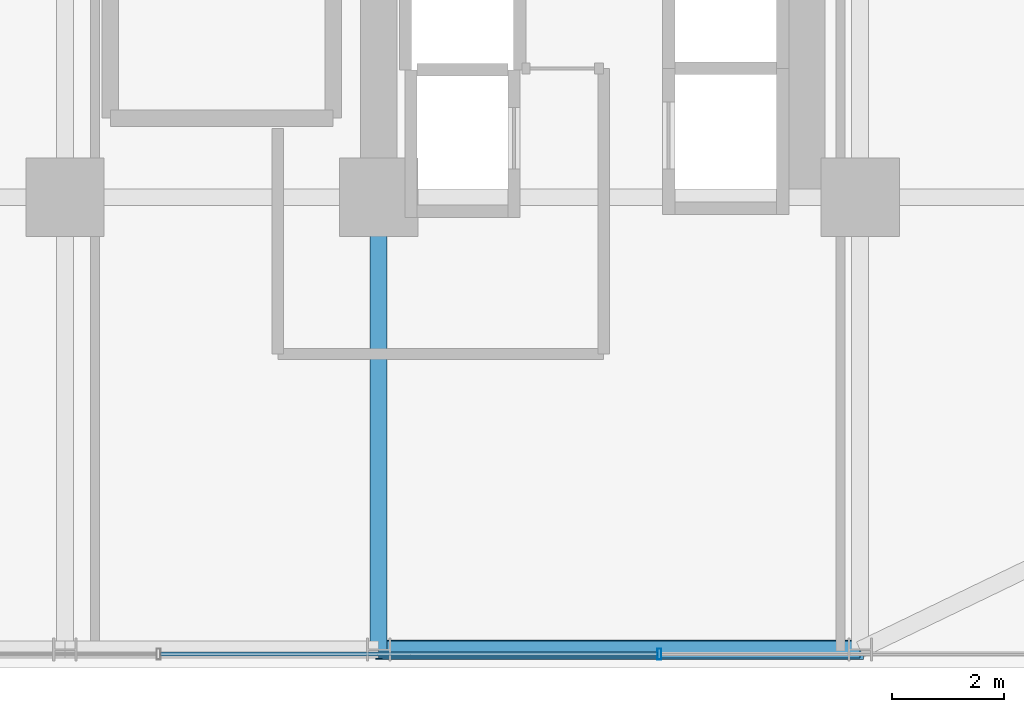
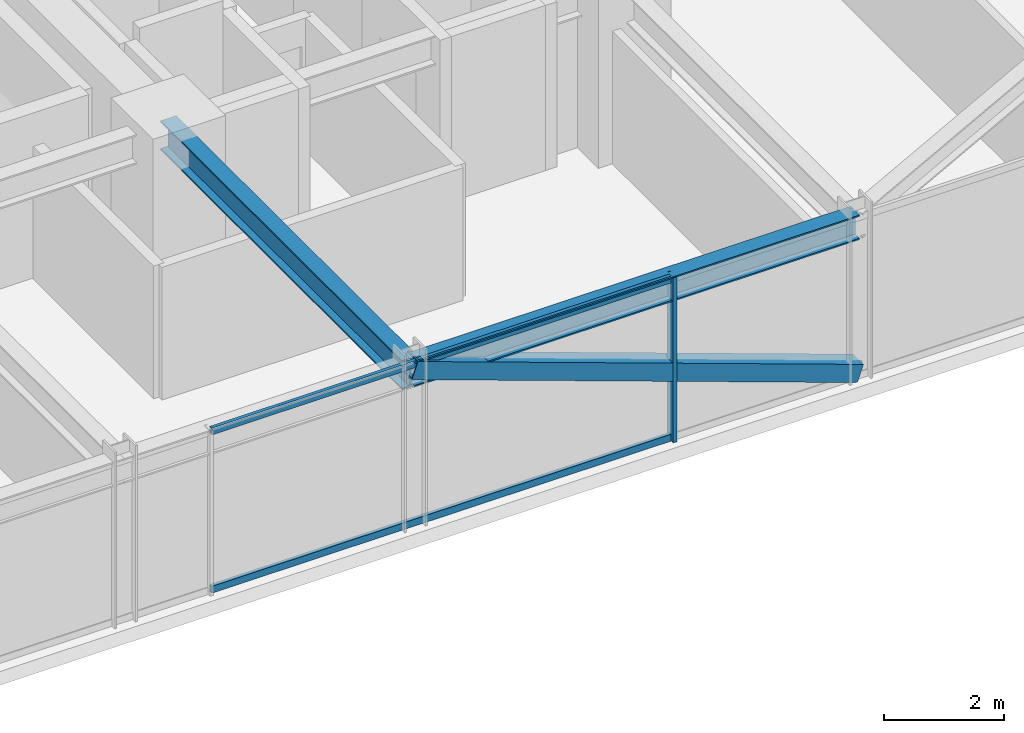
# One storey, part 15 of 47: 4 members, 2 beams, 1 element without a shape of its own.
"""IFC4 building model written with IfcOpenShell, lengths in metres."""

import ifcopenshell
import ifcopenshell.guid

model = None  # the IFC model being written
_history = None  # IfcOwnerHistory: only IFC2X3 demands one
_inside = {}  # id of a spatial element -> (the spatial element, [elements in it])
_under = {}  # id of a project, library or spatial element -> (it, [spatial elements below it])
_declared = {}  # id of a project -> (the project, [libraries it declares])
_typed = {}  # id of a type object -> (the type object, [elements of that type])
_made_of = {}  # id of a material, layer set ... -> (it, [elements and type objects made of it])


def new_model(schema):
    """Start an empty IFC model of exactly this schema.

    Asked for "IFC4X3", IfcOpenShell would pick the latest addendum, in which some entities
    have other attributes; the version numbers below select the first issue.
    IFC2X3 requires an IfcOwnerHistory on every rooted entity: one is made here for all.
    """
    global model, _history
    if schema == "IFC4X3":
        model = ifcopenshell.file(schema_version=(4, 3, 0, 0))
    else:
        model = ifcopenshell.file(schema=schema)
    _inside.clear()
    _under.clear()
    _declared.clear()
    _typed.clear()
    _made_of.clear()
    _history = None
    if model.schema == "IFC2X3":
        org = make("IfcOrganization", Name="unknown")
        user = make(
            "IfcPersonAndOrganization",
            ThePerson=make("IfcPerson", FamilyName="unknown"),
            TheOrganization=org,
        )
        app = make(
            "IfcApplication",
            ApplicationDeveloper=org,
            Version="unknown",
            ApplicationFullName="unknown",
            ApplicationIdentifier="unknown",
        )
        _history = make(
            "IfcOwnerHistory",
            OwningUser=user,
            OwningApplication=app,
            ChangeAction="ADDED",
            CreationDate=0,
        )
    return model


def make(cls, **values):
    """One entity of the class cls with the attributes given. An attribute that is None is left unset."""
    return model.create_entity(
        cls, **{name: value for name, value in values.items() if value is not None}
    )


def rooted(cls, **values):
    """An entity with a GlobalId (a new one), such as an element, a storey or a relation."""
    return make(cls, GlobalId=ifcopenshell.guid.new(), OwnerHistory=_history, **values)


def si_unit(unit_type, name, prefix=None):
    """IfcSIUnit, for example si_unit("LENGTHUNIT", "METRE", prefix="MILLI")."""
    return make("IfcSIUnit", UnitType=unit_type, Prefix=prefix, Name=name)


def assignment(units):
    """IfcUnitAssignment: the units of a project."""
    return None if units is None else make("IfcUnitAssignment", Units=units)


def point(xyz):
    """IfcCartesianPoint."""
    return None if xyz is None else make("IfcCartesianPoint", Coordinates=xyz)


def direction(xyz):
    """IfcDirection."""
    return None if xyz is None else make("IfcDirection", DirectionRatios=xyz)


def frame(location, z_axis=None, x_axis=None):
    """IfcAxis2Placement3D, a coordinate frame: its origin and axes. An axis left out is left unset."""
    return make(
        "IfcAxis2Placement3D",
        Location=point(location),
        Axis=direction(z_axis),
        RefDirection=direction(x_axis),
    )


def frame_2d(location, x_axis=None):
    """IfcAxis2Placement2D, a coordinate frame in the plane: its origin and x axis."""
    return make(
        "IfcAxis2Placement2D", Location=point(location), RefDirection=direction(x_axis)
    )


def origin():
    """The frame at (0, 0, 0) with its axes left unset."""
    return frame((0.0, 0.0, 0.0))


def origin_2d():
    """The frame at (0, 0) in the plane with its x axis left unset."""
    return frame_2d((0.0, 0.0))


def place(relative_to, where):
    """IfcLocalPlacement: puts the frame where relative to a parent placement (None: the world)."""
    return make(
        "IfcLocalPlacement", PlacementRelTo=relative_to, RelativePlacement=where
    )


def context(
    kind, dimensions, precision=None, world=None, true_north=None, identifier=None
):
    """IfcGeometricRepresentationContext, for example the 3D "Model" context."""
    return make(
        "IfcGeometricRepresentationContext",
        ContextIdentifier=identifier,
        ContextType=kind,
        CoordinateSpaceDimension=dimensions,
        Precision=precision,
        WorldCoordinateSystem=world,
        TrueNorth=true_north,
    )


def subcontext(parent, identifier, kind, view, scale=None):
    """IfcGeometricRepresentationSubContext, for example "Body" below "Model"."""
    return make(
        "IfcGeometricRepresentationSubContext",
        ContextIdentifier=identifier,
        ContextType=kind,
        ParentContext=parent,
        TargetScale=scale,
        TargetView=view,
    )


def project(units=None, contexts=None):
    """IfcProject with its units and contexts."""
    return rooted(
        "IfcProject",
        Name="project",
        RepresentationContexts=contexts,
        UnitsInContext=assignment(units),
    )


def spatial(cls, under=None, at=None, **own):
    """A site, building, storey or space (cls), placed at a placement, below another one or the project."""
    s = rooted(cls, ObjectPlacement=at, **own)
    if under is not None:
        _under.setdefault(under.id(), (under, []))[1].append(s)
    return s


def profile(cls, at=None, kind="AREA", **sizes):
    """A parametric profile (cls). Its sizes go by their IFC names, for example OverallWidth=200.0."""
    return make(cls, ProfileType=kind, Position=at, **sizes)


def hollow_rectangle(**sizes):
    """IfcRectangleHollowProfileDef."""
    return profile("IfcRectangleHollowProfileDef", **sizes)


def i_section(**sizes):
    """IfcIShapeProfileDef."""
    return profile("IfcIShapeProfileDef", **sizes)


def extrude(swept, where, along, depth):
    """IfcExtrudedAreaSolid: the profile swept, set in the frame where, extruded along a direction by depth."""
    return make(
        "IfcExtrudedAreaSolid",
        SweptArea=swept,
        Position=where,
        ExtrudedDirection=direction(along),
        Depth=depth,
    )


def shape(context_of_items, identifier, shape_type, items):
    """IfcShapeRepresentation: the items that make up one representation, for example the "Body"."""
    return make(
        "IfcShapeRepresentation",
        ContextOfItems=context_of_items,
        RepresentationIdentifier=identifier,
        RepresentationType=shape_type,
        Items=items,
    )


def source(mapping_origin, context_of_items, identifier, shape_type, items):
    """IfcRepresentationMap: a shape defined once, which mapped items show again and again."""
    return make(
        "IfcRepresentationMap",
        MappingOrigin=mapping_origin,
        MappedRepresentation=shape(context_of_items, identifier, shape_type, items),
    )


def transform(
    local_origin,
    x_axis=None,
    y_axis=None,
    z_axis=None,
    scale=None,
    scale2=None,
    scale3=None,
    uniform=True,
):
    """IfcCartesianTransformationOperator3D, or its non-uniform kind. x_axis, y_axis, z_axis: its Axis1, 2, 3."""
    if uniform:
        return make(
            "IfcCartesianTransformationOperator3D",
            Axis1=direction(x_axis),
            Axis2=direction(y_axis),
            LocalOrigin=point(local_origin),
            Scale=scale,
            Axis3=direction(z_axis),
        )
    return make(
        "IfcCartesianTransformationOperator3DnonUniform",
        Axis1=direction(x_axis),
        Axis2=direction(y_axis),
        LocalOrigin=point(local_origin),
        Scale=scale,
        Axis3=direction(z_axis),
        Scale2=scale2,
        Scale3=scale3,
    )


def mapped(mapping_source, mapping_target):
    """IfcMappedItem: shows the shape of a source again, moved by a transform."""
    return make(
        "IfcMappedItem", MappingSource=mapping_source, MappingTarget=mapping_target
    )


def material(Name=None, Category=None):
    """IfcMaterial."""
    return make("IfcMaterial", Name=Name, Category=Category)


def material_profile(
    of_material, cross_section, Name=None, Category=None, Priority=None
):
    """IfcMaterialProfile: a cross section and its material."""
    return make(
        "IfcMaterialProfile",
        Name=Name,
        Material=of_material,
        Profile=cross_section,
        Priority=Priority,
        Category=Category,
    )


def profile_set(profiles, Name=None, composite=None):
    """IfcMaterialProfileSet."""
    return make(
        "IfcMaterialProfileSet",
        Name=Name,
        MaterialProfiles=profiles,
        CompositeProfile=composite,
    )


def made_of(thing, what):
    """Note that an element or type object is made of a material, layer set ...; save() writes the relation."""
    if what is not None:
        _made_of.setdefault(what.id(), (what, []))[1].append(thing)
    return thing


def type_object(cls, material=None, **own):
    """A type object (cls), such as IfcWallType, which elements share."""
    return made_of(rooted(cls, **own), material)


def element(
    cls,
    number,
    at=None,
    inside=None,
    cuts=None,
    type_object=None,
    material=None,
    context=None,
    identifier="Body",
    shape_type=None,
    held_by="IfcProductDefinitionShape",
    body=None,
    shapes=None,
    **own,
):
    """One element of the class cls, such as IfcWall. Its Tag is "e" and its number.

    at: its placement. inside: the storey or other place that contains it. cuts: it is an
    opening in that element (IfcRelVoidsElement). A single representation is given by context,
    identifier, shape_type and body (its items); several are given by shapes. held_by: the class
    of the entity that holds the representations. save() writes the other relations.
    """
    e = rooted(cls, Tag="e%d" % number, ObjectPlacement=at, **own)
    if body is not None:
        shapes = [shape(context, identifier, shape_type, body)]
    if shapes is not None:
        e.Representation = make(held_by, Representations=shapes)
    if inside is not None:
        _inside.setdefault(inside.id(), (inside, []))[1].append(e)
    if cuts is not None:
        rooted(
            "IfcRelVoidsElement", RelatingBuildingElement=cuts, RelatedOpeningElement=e
        )
    if type_object is not None:
        _typed.setdefault(type_object.id(), (type_object, []))[1].append(e)
    return made_of(e, material)


def aggregate(whole, parts):
    """IfcRelAggregates: a whole, such as a stair, and the parts it consists of."""
    return rooted("IfcRelAggregates", RelatingObject=whole, RelatedObjects=parts)


def save(model, path):
    """Write the relations noted so far, then the file.

    IfcRelAggregates (storeys below a building ...), IfcRelContainedInSpatialStructure (elements
    in a storey), IfcRelDefinesByType, IfcRelAssociatesMaterial and IfcRelDeclares: one each for
    every whole, place, type object, material and project.
    """
    for whole, parts in _under.values():
        aggregate(whole, parts)
    for where, things in _inside.values():
        rooted(
            "IfcRelContainedInSpatialStructure",
            RelatedElements=things,
            RelatingStructure=where,
        )
    for kind, things in _typed.values():
        rooted("IfcRelDefinesByType", RelatedObjects=things, RelatingType=kind)
    for what, things in _made_of.values():
        rooted("IfcRelAssociatesMaterial", RelatedObjects=things, RelatingMaterial=what)
    for by, libraries in _declared.values():
        rooted("IfcRelDeclares", RelatingContext=by, RelatedDefinitions=libraries)
    model.write(path)


model = new_model("IFC4")

# Units and contexts
model_context = context("Model", 3, precision=1e-05, world=origin(), true_north=direction((0.0, 1.0)))
body_context = subcontext(model_context, "Body", "Model", "MODEL_VIEW")
ifc_project = project(units=[si_unit("LENGTHUNIT", "METRE"), si_unit("AREAUNIT", "SQUARE_METRE"), si_unit("VOLUMEUNIT", "CUBIC_METRE"), si_unit("PLANEANGLEUNIT", "RADIAN"), si_unit("MASSUNIT", "GRAM", prefix="KILO")], contexts=[model_context])

# Site, building, storey
site_placement = place(None, origin())
site = spatial("IfcSite", under=ifc_project, at=site_placement, CompositionType="ELEMENT")
building_placement = place(site_placement, origin())
building = spatial("IfcBuilding", under=site, at=building_placement, Name="Nahalor Promenade Grand Hotel", CompositionType="ELEMENT")
storey_placement = place(building_placement, frame((0.0, 0.0, 68.89990234375)))
storey = spatial("IfcBuildingStorey", under=building, at=storey_placement, Name="L16", CompositionType="ELEMENT", Elevation=68.89990234375)

# Beams
ifc_material_1 = material(Name="Steel S355JR", Category="steel")
ifc_material_profile_1 = material_profile(ifc_material_1, i_section(OverallWidth=0.3, OverallDepth=0.5, WebThickness=0.0145, FlangeThickness=0.028, at=origin_2d()), Name="HEB 500")
ifc_profile_set_1 = profile_set([ifc_material_profile_1], Name="Steel S355JR")
beam_type_1 = type_object("IfcBeamType", Name="Beam-Spandrel-HEB500", PredefinedType="SPANDREL", material=ifc_profile_set_1)
shared_shape_1 = source(origin(), body_context, "Body", "SweptSolid", [
    extrude(i_section(OverallWidth=0.3, OverallDepth=0.5, WebThickness=0.0145, FlangeThickness=0.028, at=origin_2d()), origin(), (0.0, 0.0, 1.0), 8.60009765625),
])
beam_1_placement = place(storey_placement, frame((8.39990234375, -25.080078125, 3.1201171875), z_axis=(1.0, 0.0, 0.0), x_axis=(0.0, 1.0, 0.0)))
element("IfcBeam", 1, at=beam_1_placement, inside=storey, type_object=beam_type_1, Name="BM-L16-SP-S-4", PredefinedType="SPANDREL", context=body_context, shape_type="MappedRepresentation", body=[
    mapped(shared_shape_1, transform((0.0, 0.0, 0.0), scale=1.0)),
])
ifc_material_profile_2 = material_profile(ifc_material_1, i_section(OverallWidth=0.3, OverallDepth=0.6, WebThickness=0.0155, FlangeThickness=0.03, at=origin_2d()), Name="HEB 600")
ifc_profile_set_2 = profile_set([ifc_material_profile_2], Name="Steel S355JR")
beam_type_2 = type_object("IfcBeamType", Name="Beam-Girder-HEB600", PredefinedType="BEAM", material=ifc_profile_set_2)
shared_shape_2 = source(origin(), body_context, "Body", "SweptSolid", [
    extrude(i_section(OverallWidth=0.3, OverallDepth=0.6, WebThickness=0.0155, FlangeThickness=0.03, at=origin_2d()), origin(), (0.0, 0.0, 1.0), 8.080078125),
])
beam_2_placement = place(storey_placement, frame((8.39990234375, -25.080078125, 3.070068359375), z_axis=(0.0, 1.0, 0.0), x_axis=(-1.0, 0.0, 0.0)))
element("IfcBeam", 2, at=beam_2_placement, inside=storey, type_object=beam_type_2, Name="BM-L16-GY-4-0", PredefinedType="BEAM", context=body_context, shape_type="MappedRepresentation", body=[
    mapped(shared_shape_2, transform((0.0, 0.0, 0.0), scale=1.0)),
])

# Member
ifc_material_profile_3 = material_profile(ifc_material_1, hollow_rectangle(XDim=0.35, YDim=0.35, WallThickness=0.02, at=origin_2d()), Name="SHS 350x350x20")
ifc_profile_set_3 = profile_set([ifc_material_profile_3], Name="Steel S355JR")
member_type_1 = type_object("IfcMemberType", Name="Mem-VoidBrace-SHS350", PredefinedType="BRACE", material=ifc_profile_set_3)
shared_shape_3 = source(origin(), body_context, "Body", "SweptSolid", [
    extrude(hollow_rectangle(XDim=0.35, YDim=0.35, WallThickness=0.02, at=origin_2d()), origin(), (0.0, 0.0, 1.0), 9.131591796875),
])
member_1_placement = place(storey_placement, frame((17.0, -25.080078125, 0.150146484375), z_axis=(-0.941790292179, 0.0, 0.336200900589), x_axis=(0.0, -1.0, 0.0)))
element("IfcMember", 3, at=member_1_placement, inside=storey, type_object=member_type_1, Name="EXO-L16-S-1", PredefinedType="BRACE", context=body_context, shape_type="MappedRepresentation", body=[
    mapped(shared_shape_3, transform((0.0, 0.0, 0.0), scale=1.0)),
])

# Curtain wall, members
ifc_material_2 = material(Name="Anodised Bronze Aluminium EN AW-6063 T6", Category="aluminium")
curtain_wall_type = type_object("IfcCurtainWallType", Name="CW3 Elliptical-Void Collar Unitised Curtain Wall", PredefinedType="USERDEFINED", material=ifc_material_2)
curtain_wall_placement = place(storey_placement, origin())
curtain_wall = element("IfcCurtainWall", 4, at=curtain_wall_placement, inside=storey, type_object=curtain_wall_type, Name="L16 Curtain Wall CW-L16-S-1", ObjectType="UNITISED_CURTAIN_WALL", PredefinedType="USERDEFINED")
ifc_material_profile_4 = material_profile(ifc_material_2, hollow_rectangle(XDim=0.07, YDim=0.14, WallThickness=0.004, at=origin_2d()), Name="CWT 70x140x4")
ifc_profile_set_4 = profile_set([ifc_material_profile_4], Name="Anodised Bronze Aluminium EN AW-6063 T6")
member_type_2 = type_object("IfcMemberType", Name="CWT3 Void Collar Transom 70x140", PredefinedType="USERDEFINED", material=ifc_profile_set_4)
shared_shape_4 = source(origin(), body_context, "Body", "SweptSolid", [
    extrude(hollow_rectangle(XDim=0.07, YDim=0.14, WallThickness=0.004, at=origin_2d()), origin(), (0.0, 0.0, 1.0), 8.8740234375),
])
member_2_placement = place(storey_placement, frame((4.507080078125, -25.159912109375, 0.070068359375), z_axis=(1.0, 0.0, 0.0), x_axis=(0.0, 1.0, 0.0)))
member_2 = element("IfcMember", 5, at=member_2_placement, type_object=member_type_2, Name="CW-L16-S-1 Transom 3-0", ObjectType="TRANSOM", PredefinedType="USERDEFINED", context=body_context, shape_type="MappedRepresentation", body=[
    mapped(shared_shape_4, transform((0.0, 0.0, 0.0), scale=1.0)),
])
member_3_placement = place(storey_placement, frame((4.507080078125, -25.159912109375, 3.300048828125), z_axis=(1.0, 0.0, 0.0), x_axis=(0.0, 1.0, 0.0)))
member_3 = element("IfcMember", 6, at=member_3_placement, type_object=member_type_2, Name="CW-L16-S-1 Transom 3-1", ObjectType="TRANSOM", PredefinedType="USERDEFINED", context=body_context, shape_type="MappedRepresentation", body=[
    mapped(shared_shape_4, transform((0.0, 0.0, 0.0), scale=1.0)),
])
ifc_material_profile_5 = material_profile(ifc_material_2, hollow_rectangle(XDim=0.07, YDim=0.2, WallThickness=0.005, at=origin_2d()), Name="CWM 70x200x5")
ifc_profile_set_5 = profile_set([ifc_material_profile_5], Name="Anodised Bronze Aluminium EN AW-6063 T6")
member_type_3 = type_object("IfcMemberType", Name="CWM3 Void Collar Mullion 70x200", PredefinedType="MULLION", material=ifc_profile_set_5)
shared_shape_5 = source(origin(), body_context, "Body", "SweptSolid", [
    extrude(hollow_rectangle(XDim=0.07, YDim=0.2, WallThickness=0.005, at=origin_2d()), origin(), (0.0, 0.0, 1.0), 3.3701171875),
])
member_4_placement = place(storey_placement, frame((13.416015625, -25.159912109375, 0.0), z_axis=(0.0, 0.0, 1.0), x_axis=(1.0, 0.0, 0.0)))
member_4 = element("IfcMember", 7, at=member_4_placement, type_object=member_type_3, Name="CW-L16-S-1 Mullion 4", PredefinedType="MULLION", context=body_context, shape_type="MappedRepresentation", body=[
    mapped(shared_shape_5, transform((0.0, 0.0, 0.0), scale=1.0)),
])
aggregate(curtain_wall, [member_4, member_2, member_3])

save(model, "model.ifc")
